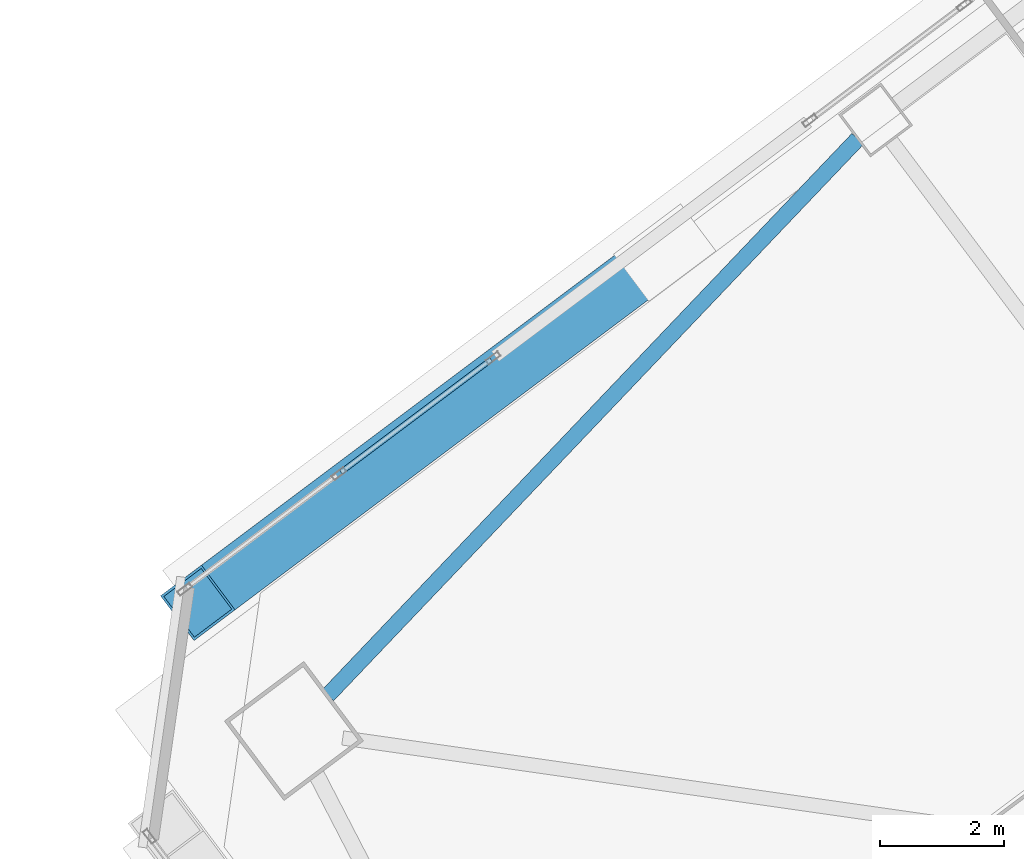
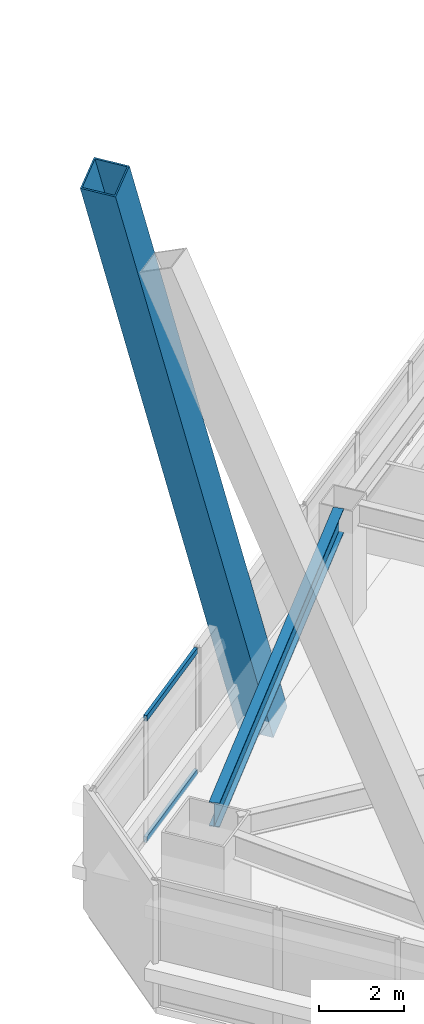
# One storey, part 52 of 75: 3 members, 1 beam, 1 element without a shape of its own.
"""IFC4 building model written with IfcOpenShell, lengths in metres."""

from ifc_helpers import new_model, si_unit, direction, frame, origin, origin_2d, place, context, subcontext, project, spatial, hollow_rectangle, i_section, extrude, material, material_profile, profile_set, type_object, element, aggregate, save


model = new_model("IFC4")

# Units and contexts
model_context = context("Model", 3, precision=1e-05, world=origin(), true_north=direction((0.0, 1.0)))
body_context = subcontext(model_context, "Body", "Model", "MODEL_VIEW")
ifc_project = project(units=[si_unit("LENGTHUNIT", "METRE"), si_unit("AREAUNIT", "SQUARE_METRE"), si_unit("VOLUMEUNIT", "CUBIC_METRE"), si_unit("PLANEANGLEUNIT", "RADIAN"), si_unit("MASSUNIT", "GRAM", prefix="KILO")], contexts=[model_context])

# Site, building, storey
site_placement = place(None, origin())
site = spatial("IfcSite", under=ifc_project, at=site_placement, CompositionType="ELEMENT")
building_placement = place(site_placement, origin())
building = spatial("IfcBuilding", under=site, at=building_placement, Name="Tashvorn Skyway Center", CompositionType="ELEMENT")
storey_placement = place(building_placement, frame((0.0, 0.0, 45.89990234375)))
storey = spatial("IfcBuildingStorey", under=building, at=storey_placement, Name="L11", CompositionType="ELEMENT", Elevation=45.89990234375)

# Beam
ifc_material_1 = material(Name="Steel ASTM A992 Grade 50", Category="steel")
ifc_material_profile_1 = material_profile(ifc_material_1, i_section(OverallWidth=0.256103515625, OverallDepth=0.693115234375, WebThickness=0.014404296875, FlangeThickness=0.023681640625, at=origin_2d()), Name="W27X114")
ifc_profile_set_1 = profile_set([ifc_material_profile_1], Name="Steel ASTM A992 Grade 50")
beam_type = type_object("IfcBeamType", Name="BM-SPANDREL-W27X114", PredefinedType="SPANDREL", material=ifc_profile_set_1)
beam_placement = place(storey_placement, frame((96.76025390625, 45.2958984375, 3.003662109375), z_axis=(-0.689589637236, -0.724200339835, 0.0), x_axis=(0.724200339835, -0.689589637236, 0.0)))
element("IfcBeam", 1, at=beam_placement, inside=storey, type_object=beam_type, Name="Tower 2 L11 Spandrel Beam 09", PredefinedType="SPANDREL", context=body_context, shape_type="SweptSolid", body=[
    extrude(i_section(OverallWidth=0.256103515625, OverallDepth=0.693115234375, WebThickness=0.014404296875, FlangeThickness=0.023681640625, at=origin_2d()), origin(), (0.0, 0.0, 1.0), 12.37255859375),
])

# Curtain wall, members
ifc_material_2 = material(Name="Thermally broken bronze-anodized aluminium 6063-T6", Category="aluminium")
curtain_wall_type = type_object("IfcCurtainWallType", Name="CW-CW-Z1", PredefinedType="NOTDEFINED", material=ifc_material_2)
curtain_wall_placement = place(storey_placement, origin())
curtain_wall = element("IfcCurtainWall", 2, at=curtain_wall_placement, inside=storey, type_object=curtain_wall_type, Name="Tower 2 L11 North Unitised Curtain Wall Glazing Group 1", PredefinedType="NOTDEFINED")
ifc_material_profile_2 = material_profile(ifc_material_2, hollow_rectangle(XDim=0.0849609375, YDim=0.1650390625, WallThickness=0.0048828125, at=origin_2d()), Name="ALU-TRAN-85x165")
ifc_profile_set_2 = profile_set([ifc_material_profile_2], Name="Thermally broken bronze-anodized aluminium 6063-T6")
member_type_1 = type_object("IfcMemberType", Name="CWT-CW-Z1", PredefinedType="USERDEFINED", material=ifc_profile_set_2)
member_1_placement = place(storey_placement, frame((88.439453125, 39.929443359375, 0.04248046875), z_axis=(0.799990296182, 0.600012938206, 0.0), x_axis=(-0.600012938206, 0.799990296182, 0.0)))
member_1 = element("IfcMember", 3, at=member_1_placement, type_object=member_type_1, Name="CW-Z1 transom 2.1", ObjectType="TRANSOM", PredefinedType="USERDEFINED", context=body_context, shape_type="SweptSolid", body=[
    extrude(hollow_rectangle(XDim=0.0849609375, YDim=0.1650390625, WallThickness=0.0048828125, at=origin_2d()), origin(), (0.0, 0.0, 1.0), 3.01904296875),
])
member_2_placement = place(storey_placement, frame((88.439453125, 39.929443359375, 3.507568359375), z_axis=(0.799990296182, 0.600012938206, 0.0), x_axis=(-0.600012938206, 0.799990296182, 0.0)))
member_2 = element("IfcMember", 4, at=member_2_placement, type_object=member_type_1, Name="CW-Z1 transom 2.2", ObjectType="TRANSOM", PredefinedType="USERDEFINED", context=body_context, shape_type="SweptSolid", body=[
    extrude(hollow_rectangle(XDim=0.0849609375, YDim=0.1650390625, WallThickness=0.0048828125, at=origin_2d()), origin(), (0.0, 0.0, 1.0), 3.01904296875),
])
aggregate(curtain_wall, [member_1, member_2])

# Member
ifc_material_3 = material(Name="Steel ASTM A572 Grade 50", Category="steel")
ifc_material_profile_3 = material_profile(ifc_material_3, hollow_rectangle(XDim=0.89990234375, YDim=0.89990234375, WallThickness=0.0400390625, at=origin_2d()), Name="BOX900x900x40")
ifc_profile_set_3 = profile_set([ifc_material_profile_3], Name="Steel ASTM A572 Grade 50")
member_type_2 = type_object("IfcMemberType", Name="MEM-MB-900", PredefinedType="BRACE", material=ifc_profile_set_3)
member_3_placement = place(storey_placement, frame((93.652099609375, 43.464111328125, -0.449951171875), z_axis=(-0.320476506079, -0.240362581762, 0.916253588446), x_axis=(0.600008311051, -0.799993766644, 0.0)))
element("IfcMember", 5, at=member_3_placement, inside=storey, type_object=member_type_2, Name="Tower 2 Zone 1 N Chevron Mega-Brace R2", PredefinedType="BRACE", context=body_context, shape_type="SweptSolid", body=[
    extrude(hollow_rectangle(XDim=0.89990234375, YDim=0.89990234375, WallThickness=0.0400390625, at=origin_2d()), origin(), (0.0, 0.0, 1.0), 23.465087890625),
])

save(model, "model.ifc")
